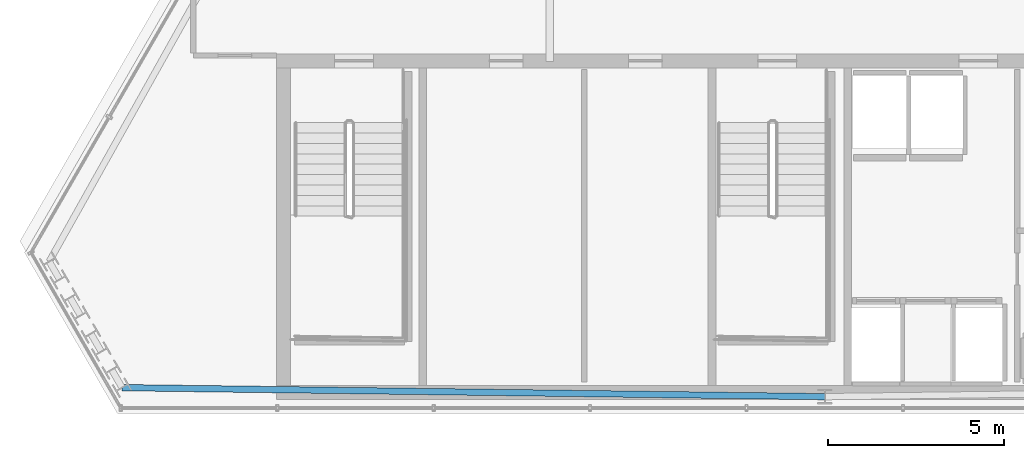
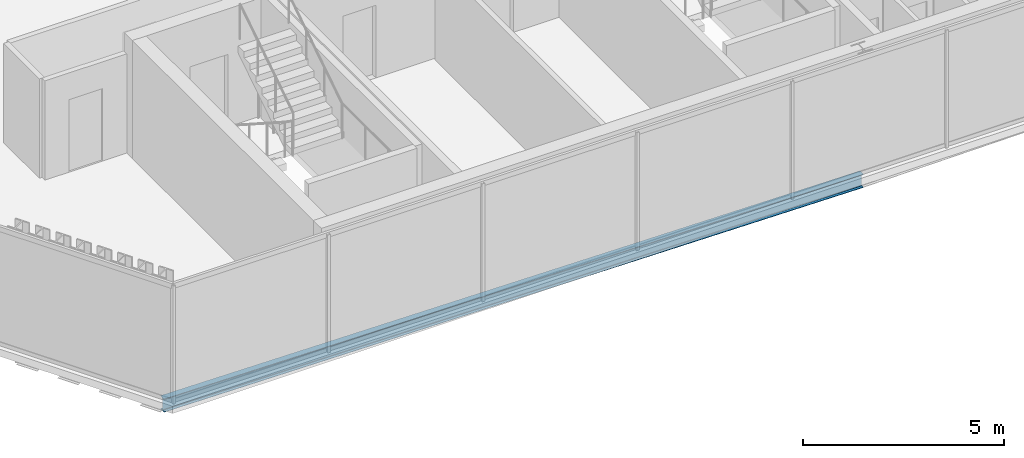
# One storey, part 4 of 35: 1 beam.
"""IFC4 building model written with IfcOpenShell, lengths in metres."""

from ifc_helpers import new_model, si_unit, direction, frame, origin, origin_2d, place, context, subcontext, project, spatial, i_section, extrude, material, material_profile, profile_set, type_object, element, save


model = new_model("IFC4")

# Units and contexts
model_context = context("Model", 3, precision=1e-05, world=origin(), true_north=direction((0.0, 1.0)))
body_context = subcontext(model_context, "Body", "Model", "MODEL_VIEW")
ifc_project = project(units=[si_unit("LENGTHUNIT", "METRE"), si_unit("AREAUNIT", "SQUARE_METRE"), si_unit("VOLUMEUNIT", "CUBIC_METRE"), si_unit("PLANEANGLEUNIT", "RADIAN"), si_unit("MASSUNIT", "GRAM", prefix="KILO")], contexts=[model_context])

# Site, building, storey
site_placement = place(None, origin())
site = spatial("IfcSite", under=ifc_project, at=site_placement, CompositionType="ELEMENT")
building_placement = place(site_placement, origin())
building = spatial("IfcBuilding", under=site, at=building_placement, Name="Ndaravel Arena Tower", CompositionType="ELEMENT")
storey_placement = place(building_placement, frame((0.0, 0.0, 271.199951171875)))
storey = spatial("IfcBuildingStorey", under=building, at=storey_placement, Name="L66", CompositionType="ELEMENT", Elevation=271.199951171875)

# Beam
ifc_material = material(Name="Steel S355", Category="steel")
ifc_material_profile = material_profile(ifc_material, i_section(OverallWidth=0.179931640625, OverallDepth=0.39990234375, WebThickness=0.008544921875, FlangeThickness=0.013427734375, FilletRadius=0.02099609375, at=origin_2d()), Name="IPE 400")
ifc_profile_set = profile_set([ifc_material_profile], Name="Steel S355")
beam_type = type_object("IfcBeamType", Name="BM-SPAN-IPE400", PredefinedType="SPANDREL", material=ifc_profile_set)
beam_placement = place(storey_placement, frame((22.078125, 5.735595703125, -0.419921875), z_axis=(0.999917694391, -0.012829826299, 0.0), x_axis=(0.012829826299, 0.999917694391, 0.0)))
element("IfcBeam", 1, at=beam_placement, inside=storey, type_object=beam_type, Name="L66 Perimeter Spandrel Beam SP-27", PredefinedType="SPANDREL", context=body_context, shape_type="SweptSolid", body=[
    extrude(i_section(OverallWidth=0.179931640625, OverallDepth=0.39990234375, WebThickness=0.008544921875, FlangeThickness=0.013427734375, FilletRadius=0.02099609375, at=origin_2d()), origin(), (0.0, 0.0, 1.0), 19.923583984375),
])

save(model, "model.ifc")
